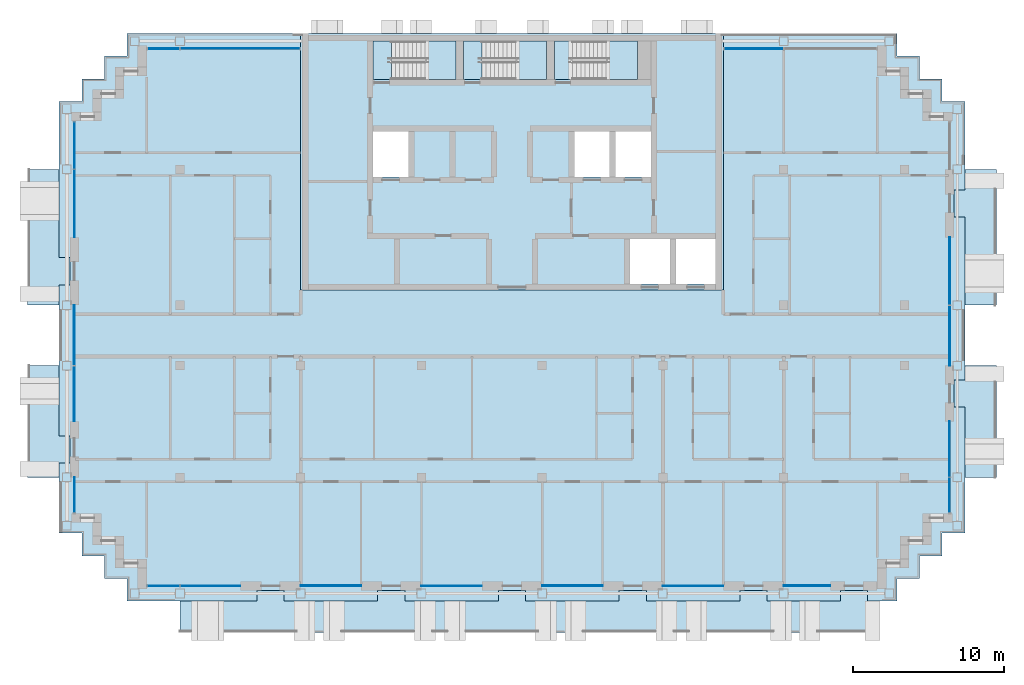
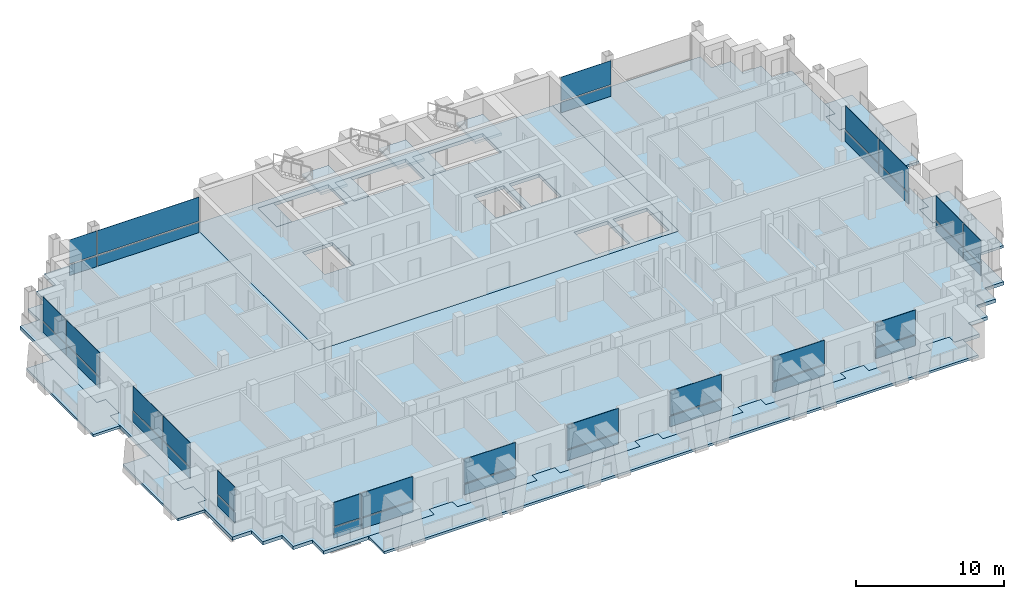
# One storey, part 6 of 15: 38 plates, 13 slabs, 16 elements without a shape of their own.
"""IFC4 building model written with IfcOpenShell, lengths in metres."""

from ifc_helpers import new_model, si_unit, direction, frame, origin, origin_2d, place, context, subcontext, project, spatial, polyline, rectangle, outline, extrude, material, layer, layer_set, type_object, element, aggregate, save


model = new_model("IFC4")

# Units and contexts
model_context = context("Model", 3, precision=1e-05, world=origin(), true_north=direction((0.0, 1.0)))
body_context = subcontext(model_context, "Body", "Model", "MODEL_VIEW")
ifc_project = project(units=[si_unit("LENGTHUNIT", "METRE"), si_unit("AREAUNIT", "SQUARE_METRE"), si_unit("VOLUMEUNIT", "CUBIC_METRE"), si_unit("PLANEANGLEUNIT", "RADIAN"), si_unit("MASSUNIT", "GRAM", prefix="KILO")], contexts=[model_context])

# Site, building, storey
site_placement = place(None, origin())
site = spatial("IfcSite", under=ifc_project, at=site_placement, CompositionType="ELEMENT")
building_placement = place(site_placement, origin())
building = spatial("IfcBuilding", under=site, at=building_placement, Name="Vidyagriha Tower", CompositionType="ELEMENT")
storey_placement = place(building_placement, frame((0.0, 0.0, 214.0)))
storey = spatial("IfcBuildingStorey", under=building, at=storey_placement, Name="L55", CompositionType="ELEMENT", Elevation=214.0)

# Curtain wall, plate
ifc_material_1 = material(Name="Aluminium and glass curtain wall", Category="aluminium")
curtain_wall_type = type_object("IfcCurtainWallType", Name="Dwelling skin unitised curtain wall", PredefinedType="USERDEFINED", material=ifc_material_1)
curtain_wall_1_placement = place(storey_placement, origin())
curtain_wall_1 = element("IfcCurtainWall", 1, at=curtain_wall_1_placement, inside=storey, type_object=curtain_wall_type, Name="CW1 dwelling skin", ObjectType="UNITISED", PredefinedType="USERDEFINED")
ifc_material_2 = material(Name="Glass dark ceramic-fritted spandrel", Category="glass")
ifc_layer_1 = layer(ifc_material_2, 0.0400390625)
ifc_layer_set_1 = layer_set([ifc_layer_1], Name="Glass dark ceramic-fritted spandrel")
plate_type_1 = type_object("IfcPlateType", Name="Ceramic-fritted spandrel panel", PredefinedType="CURTAIN_PANEL", material=ifc_layer_set_1)
plate_1_placement = place(storey_placement, frame((-18.017578125, 19.0, 0.0), z_axis=(0.0, 0.0, 1.0), x_axis=(-1.0, 0.0, 0.0)))
plate_1 = element("IfcPlate", 2, at=plate_1_placement, type_object=plate_type_1, Name="CW1 panel 1.1", PredefinedType="CURTAIN_PANEL", context=body_context, shape_type="SweptSolid", body=[
    extrude(rectangle(XDim=7.89501953125, YDim=0.0400390625, at=origin_2d()), origin(), (0.0, 0.0, 1.0), 0.85009765625),
])

# Curtain wall, plates
curtain_wall_2_placement = place(storey_placement, origin())
curtain_wall_2 = element("IfcCurtainWall", 3, at=curtain_wall_2_placement, inside=storey, type_object=curtain_wall_type, Name="CW1 dwelling skin", ObjectType="UNITISED", PredefinedType="USERDEFINED")
plate_2_placement = place(storey_placement, frame((-29.0, 12.58251953125, 0.0), z_axis=(0.0, 0.0, 1.0), x_axis=(0.0, -1.0, 0.0)))
plate_2 = element("IfcPlate", 4, at=plate_2_placement, type_object=plate_type_1, Name="CW1 panel 1.1", PredefinedType="CURTAIN_PANEL", context=body_context, shape_type="SweptSolid", body=[
    extrude(rectangle(XDim=3.094970703125, YDim=0.0400390625, at=origin_2d()), origin(), (0.0, 0.0, 1.0), 0.85009765625),
])
plate_3_placement = place(storey_placement, frame((-29.0, 8.732421875, 0.0), z_axis=(0.0, 0.0, 1.0), x_axis=(0.0, -1.0, 0.0)))
plate_3 = element("IfcPlate", 5, at=plate_3_placement, type_object=plate_type_1, Name="CW1 panel 2.1", PredefinedType="CURTAIN_PANEL", context=body_context, shape_type="SweptSolid", body=[
    extrude(rectangle(XDim=4.465087890625, YDim=0.0400390625, at=origin_2d()), origin(), (0.0, 0.0, 1.0), 0.85009765625),
])

# Curtain wall, plate
curtain_wall_3_placement = place(storey_placement, origin())
curtain_wall_3 = element("IfcCurtainWall", 6, at=curtain_wall_3_placement, inside=storey, type_object=curtain_wall_type, Name="CW1 dwelling skin", ObjectType="UNITISED", PredefinedType="USERDEFINED")
plate_4_placement = place(storey_placement, frame((-29.0, -10.56494140625, 0.0), z_axis=(0.0, 0.0, 1.0), x_axis=(0.0, -1.0, 0.0)))
plate_4 = element("IfcPlate", 7, at=plate_4_placement, type_object=plate_type_1, Name="CW1 panel 1.1", PredefinedType="CURTAIN_PANEL", context=body_context, shape_type="SweptSolid", body=[
    extrude(rectangle(XDim=2.330078125, YDim=0.0400390625, at=origin_2d()), origin(), (0.0, 0.0, 1.0), 0.85009765625),
])

# Curtain wall, plates
curtain_wall_4_placement = place(storey_placement, origin())
curtain_wall_4 = element("IfcCurtainWall", 8, at=curtain_wall_4_placement, inside=storey, type_object=curtain_wall_type, Name="CW1 dwelling skin", ObjectType="UNITISED", PredefinedType="USERDEFINED")
plate_5_placement = place(storey_placement, frame((-23.08251953125, -16.60009765625, 0.0)))
plate_5 = element("IfcPlate", 9, at=plate_5_placement, type_object=plate_type_1, Name="CW1 panel 1.1", PredefinedType="CURTAIN_PANEL", context=body_context, shape_type="SweptSolid", body=[
    extrude(rectangle(XDim=2.094970703125, YDim=0.0400390625, at=origin_2d()), origin(), (0.0, 0.0, 1.0), 0.85009765625),
])
plate_6_placement = place(storey_placement, frame((-19.982421875, -16.60009765625, 0.0)))
plate_6 = element("IfcPlate", 10, at=plate_6_placement, type_object=plate_type_1, Name="CW1 panel 2.1", PredefinedType="CURTAIN_PANEL", context=body_context, shape_type="SweptSolid", body=[
    extrude(rectangle(XDim=3.965087890625, YDim=0.0400390625, at=origin_2d()), origin(), (0.0, 0.0, 1.0), 0.85009765625),
])

# Curtain wall, plate
curtain_wall_5_placement = place(storey_placement, origin())
curtain_wall_5 = element("IfcCurtainWall", 11, at=curtain_wall_5_placement, inside=storey, type_object=curtain_wall_type, Name="CW1 dwelling skin", ObjectType="UNITISED", PredefinedType="USERDEFINED")
plate_7_placement = place(storey_placement, frame((-4.0, -16.60009765625, 0.0)))
plate_7 = element("IfcPlate", 12, at=plate_7_placement, type_object=plate_type_1, Name="CW1 panel 1.1", PredefinedType="CURTAIN_PANEL", context=body_context, shape_type="SweptSolid", body=[
    extrude(rectangle(XDim=4.0, YDim=0.0400390625, at=origin_2d()), origin(), (0.0, 0.0, 1.0), 0.85009765625),
])

curtain_wall_6_placement = place(storey_placement, origin())
curtain_wall_6 = element("IfcCurtainWall", 13, at=curtain_wall_6_placement, inside=storey, type_object=curtain_wall_type, Name="CW1 dwelling skin", ObjectType="UNITISED", PredefinedType="USERDEFINED")
plate_8_placement = place(storey_placement, frame((12.0, -16.60009765625, 0.0)))
plate_8 = element("IfcPlate", 14, at=plate_8_placement, type_object=plate_type_1, Name="CW1 panel 1.1", PredefinedType="CURTAIN_PANEL", context=body_context, shape_type="SweptSolid", body=[
    extrude(rectangle(XDim=4.0, YDim=0.0400390625, at=origin_2d()), origin(), (0.0, 0.0, 1.0), 0.85009765625),
])

# Curtain wall, plates
curtain_wall_7_placement = place(storey_placement, origin())
curtain_wall_7 = element("IfcCurtainWall", 15, at=curtain_wall_7_placement, inside=storey, type_object=curtain_wall_type, Name="CW1 dwelling skin", ObjectType="UNITISED", PredefinedType="USERDEFINED")
plate_9_placement = place(storey_placement, frame((29.0, -10.58251953125, 0.0), z_axis=(0.0, 0.0, 1.0), x_axis=(0.0, 1.0, 0.0)))
plate_9 = element("IfcPlate", 16, at=plate_9_placement, type_object=plate_type_1, Name="CW1 panel 1.1", PredefinedType="CURTAIN_PANEL", context=body_context, shape_type="SweptSolid", body=[
    extrude(rectangle(XDim=2.294921875, YDim=0.0400390625, at=origin_2d()), origin(), (0.0, 0.0, 1.0), 0.85009765625),
])
plate_10_placement = place(storey_placement, frame((29.0, -7.532470703125, 0.0), z_axis=(0.0, 0.0, 1.0), x_axis=(0.0, 1.0, 0.0)))
plate_10 = element("IfcPlate", 17, at=plate_10_placement, type_object=plate_type_1, Name="CW1 panel 2.1", PredefinedType="CURTAIN_PANEL", context=body_context, shape_type="SweptSolid", body=[
    extrude(rectangle(XDim=3.6650390625, YDim=0.0400390625, at=origin_2d()), origin(), (0.0, 0.0, 1.0), 0.85009765625),
])

# Slab
ifc_material_3 = material(Name="Concrete C60/75", Category="concrete")
ifc_layer_2 = layer(ifc_material_3, 0.280029296875)
ifc_layer_set_2 = layer_set([ifc_layer_2], Name="Concrete C60/75")
slab_type_1 = type_object("IfcSlabType", Name="Core floor slab 280 mm", PredefinedType="FLOOR", material=ifc_layer_set_2)
slab_1_placement = place(storey_placement, frame((0.0, 0.0, -0.280029296875)))
element("IfcSlab", 18, at=slab_1_placement, inside=storey, type_object=slab_type_1, Name="L55 core floor 1", PredefinedType="FLOOR", context=body_context, shape_type="SweptSolid", body=[
    extrude(outline(polyline([(-14.0, 3.0), (-14.0, 20.0), (14.0, 20.0), (14.0, 3.0), (-14.0, 3.0)]), holes=[polyline([(13.5, 6.39990234375), (10.855712890625, 6.39990234375), (10.855712890625, 3.39990234375), (13.5, 3.39990234375), (13.5, 6.39990234375)]), polyline([(10.45556640625, 6.39990234375), (7.81103515625, 6.39990234375), (7.81103515625, 3.39990234375), (10.45556640625, 3.39990234375), (10.45556640625, 6.39990234375)]), polyline([(9.199951171875, 13.5), (6.86669921875, 13.5), (6.86669921875, 10.5), (9.199951171875, 10.5), (9.199951171875, 13.5)]), polyline([(2.800048828125, 19.5), (2.800048828125, 16.949951171875), (4.0, 16.949951171875), (8.300048828125, 16.949951171875), (8.300048828125, 19.5), (4.0, 19.5), (2.800048828125, 19.5)]), polyline([(4.13330078125, 13.5), (4.13330078125, 10.5), (6.466796875, 10.5), (6.466796875, 13.5), (4.13330078125, 13.5)]), polyline([(-2.0, 19.5), (-3.199951171875, 19.5), (-3.199951171875, 16.949951171875), (-2.0, 16.949951171875), (2.300048828125, 16.949951171875), (2.300048828125, 19.5), (-2.0, 19.5)]), polyline([(-9.199951171875, 19.5), (-9.199951171875, 16.949951171875), (-8.0, 16.949951171875), (-3.699951171875, 16.949951171875), (-3.699951171875, 19.5), (-8.0, 19.5), (-9.199951171875, 19.5)]), polyline([(-9.199951171875, 13.5), (-9.199951171875, 10.5), (-6.86669921875, 10.5), (-6.86669921875, 13.5), (-9.199951171875, 13.5)])]), origin(), (0.0, 0.0, 1.0), 0.280029296875),
])

# Curtain wall, plate
curtain_wall_8_placement = place(storey_placement, origin())
curtain_wall_8 = element("IfcCurtainWall", 19, at=curtain_wall_8_placement, inside=storey, type_object=curtain_wall_type, Name="CW1 dwelling skin", ObjectType="UNITISED", PredefinedType="USERDEFINED")
ifc_material_4 = material(Name="Glass dark ceramic-fritted", Category="glass")
ifc_layer_3 = layer(ifc_material_4, 0.028076171875)
ifc_layer_set_3 = layer_set([ifc_layer_3], Name="Glass dark ceramic-fritted")
plate_type_2 = type_object("IfcPlateType", Name="Dark ceramic-fritted vision glass panel", PredefinedType="CURTAIN_PANEL", material=ifc_layer_set_3)
plate_11_placement = place(storey_placement, frame((16.017578125, 19.0, 0.9501953125), z_axis=(0.0, 0.0, 1.0), x_axis=(-1.0, 0.0, 0.0)))
plate_11 = element("IfcPlate", 20, at=plate_11_placement, type_object=plate_type_2, Name="CW1 panel 2.2", PredefinedType="CURTAIN_PANEL", context=body_context, shape_type="SweptSolid", body=[
    extrude(rectangle(XDim=3.89501953125, YDim=0.028076171875, at=origin_2d()), origin(), (0.0, 0.0, 1.0), 1.969970703125),
])

# Plate
plate_12_placement = place(storey_placement, frame((-18.017578125, 19.0, 0.9501953125), z_axis=(0.0, 0.0, 1.0), x_axis=(-1.0, 0.0, 0.0)))
plate_12 = element("IfcPlate", 21, at=plate_12_placement, type_object=plate_type_2, Name="CW1 panel 1.2", PredefinedType="CURTAIN_PANEL", context=body_context, shape_type="SweptSolid", body=[
    extrude(rectangle(XDim=7.89501953125, YDim=0.028076171875, at=origin_2d()), origin(), (0.0, 0.0, 1.0), 1.969970703125),
])

plate_13_placement = place(storey_placement, frame((-23.08251953125, 19.0, 0.9501953125), z_axis=(0.0, 0.0, 1.0), x_axis=(-1.0, 0.0, 0.0)))
plate_13 = element("IfcPlate", 22, at=plate_13_placement, type_object=plate_type_2, Name="CW1 panel 2.2", PredefinedType="CURTAIN_PANEL", context=body_context, shape_type="SweptSolid", body=[
    extrude(rectangle(XDim=2.094970703125, YDim=0.028076171875, at=origin_2d()), origin(), (0.0, 0.0, 1.0), 1.969970703125),
])

plate_14_placement = place(storey_placement, frame((-29.0, 12.58251953125, 0.9501953125), z_axis=(0.0, 0.0, 1.0), x_axis=(0.0, -1.0, 0.0)))
plate_14 = element("IfcPlate", 23, at=plate_14_placement, type_object=plate_type_2, Name="CW1 panel 1.2", PredefinedType="CURTAIN_PANEL", context=body_context, shape_type="SweptSolid", body=[
    extrude(rectangle(XDim=3.094970703125, YDim=0.028076171875, at=origin_2d()), origin(), (0.0, 0.0, 1.0), 1.969970703125),
])

plate_15_placement = place(storey_placement, frame((-29.0, 8.732421875, 0.9501953125), z_axis=(0.0, 0.0, 1.0), x_axis=(0.0, -1.0, 0.0)))
plate_15 = element("IfcPlate", 24, at=plate_15_placement, type_object=plate_type_2, Name="CW1 panel 2.2", PredefinedType="CURTAIN_PANEL", context=body_context, shape_type="SweptSolid", body=[
    extrude(rectangle(XDim=4.465087890625, YDim=0.028076171875, at=origin_2d()), origin(), (0.0, 0.0, 1.0), 1.969970703125),
])

aggregate(curtain_wall_2, [plate_2, plate_14, plate_3, plate_15])

# Curtain wall, plates
curtain_wall_9_placement = place(storey_placement, origin())
curtain_wall_9 = element("IfcCurtainWall", 25, at=curtain_wall_9_placement, inside=storey, type_object=curtain_wall_type, Name="CW1 dwelling skin", ObjectType="UNITISED", PredefinedType="USERDEFINED")
plate_16_placement = place(storey_placement, frame((-29.0, 0.017578125, 0.9501953125), z_axis=(0.0, 0.0, 1.0), x_axis=(0.0, -1.0, 0.0)))
plate_16 = element("IfcPlate", 26, at=plate_16_placement, type_object=plate_type_2, Name="CW1 panel 1.2", PredefinedType="CURTAIN_PANEL", context=body_context, shape_type="SweptSolid", body=[
    extrude(rectangle(XDim=3.965087890625, YDim=0.028076171875, at=origin_2d()), origin(), (0.0, 0.0, 1.0), 1.969970703125),
])
plate_17_placement = place(storey_placement, frame((-29.0, -3.867431640625, 0.9501953125), z_axis=(0.0, 0.0, 1.0), x_axis=(0.0, -1.0, 0.0)))
plate_17 = element("IfcPlate", 27, at=plate_17_placement, type_object=plate_type_2, Name="CW1 panel 2.2", PredefinedType="CURTAIN_PANEL", context=body_context, shape_type="SweptSolid", body=[
    extrude(rectangle(XDim=3.6650390625, YDim=0.028076171875, at=origin_2d()), origin(), (0.0, 0.0, 1.0), 1.969970703125),
])

# Plate
plate_18_placement = place(storey_placement, frame((-29.0, -10.56494140625, 0.9501953125), z_axis=(0.0, 0.0, 1.0), x_axis=(0.0, -1.0, 0.0)))
plate_18 = element("IfcPlate", 28, at=plate_18_placement, type_object=plate_type_2, Name="CW1 panel 1.2", PredefinedType="CURTAIN_PANEL", context=body_context, shape_type="SweptSolid", body=[
    extrude(rectangle(XDim=2.330078125, YDim=0.028076171875, at=origin_2d()), origin(), (0.0, 0.0, 1.0), 1.969970703125),
])

aggregate(curtain_wall_3, [plate_4, plate_18])

plate_19_placement = place(storey_placement, frame((-23.08251953125, -16.60009765625, 0.9501953125)))
plate_19 = element("IfcPlate", 29, at=plate_19_placement, type_object=plate_type_2, Name="CW1 panel 1.2", PredefinedType="CURTAIN_PANEL", context=body_context, shape_type="SweptSolid", body=[
    extrude(rectangle(XDim=2.094970703125, YDim=0.028076171875, at=origin_2d()), origin(), (0.0, 0.0, 1.0), 1.969970703125),
])

plate_20_placement = place(storey_placement, frame((-19.982421875, -16.60009765625, 0.9501953125)))
plate_20 = element("IfcPlate", 30, at=plate_20_placement, type_object=plate_type_2, Name="CW1 panel 2.2", PredefinedType="CURTAIN_PANEL", context=body_context, shape_type="SweptSolid", body=[
    extrude(rectangle(XDim=3.965087890625, YDim=0.028076171875, at=origin_2d()), origin(), (0.0, 0.0, 1.0), 1.969970703125),
])

aggregate(curtain_wall_4, [plate_5, plate_19, plate_6, plate_20])

# Curtain wall, plate
curtain_wall_10_placement = place(storey_placement, origin())
curtain_wall_10 = element("IfcCurtainWall", 31, at=curtain_wall_10_placement, inside=storey, type_object=curtain_wall_type, Name="CW1 dwelling skin", ObjectType="UNITISED", PredefinedType="USERDEFINED")
plate_21_placement = place(storey_placement, frame((-12.0, -16.60009765625, 0.9501953125)))
plate_21 = element("IfcPlate", 32, at=plate_21_placement, type_object=plate_type_2, Name="CW1 panel 1.2", PredefinedType="CURTAIN_PANEL", context=body_context, shape_type="SweptSolid", body=[
    extrude(rectangle(XDim=4.0, YDim=0.028076171875, at=origin_2d()), origin(), (0.0, 0.0, 1.0), 1.969970703125),
])

# Plate
plate_22_placement = place(storey_placement, frame((-4.0, -16.60009765625, 0.9501953125)))
plate_22 = element("IfcPlate", 33, at=plate_22_placement, type_object=plate_type_2, Name="CW1 panel 1.2", PredefinedType="CURTAIN_PANEL", context=body_context, shape_type="SweptSolid", body=[
    extrude(rectangle(XDim=4.0, YDim=0.028076171875, at=origin_2d()), origin(), (0.0, 0.0, 1.0), 1.969970703125),
])

aggregate(curtain_wall_5, [plate_7, plate_22])

# Curtain wall, plate
curtain_wall_11_placement = place(storey_placement, origin())
curtain_wall_11 = element("IfcCurtainWall", 34, at=curtain_wall_11_placement, inside=storey, type_object=curtain_wall_type, Name="CW1 dwelling skin", ObjectType="UNITISED", PredefinedType="USERDEFINED")
plate_23_placement = place(storey_placement, frame((4.0, -16.60009765625, 0.9501953125)))
plate_23 = element("IfcPlate", 35, at=plate_23_placement, type_object=plate_type_2, Name="CW1 panel 1.2", PredefinedType="CURTAIN_PANEL", context=body_context, shape_type="SweptSolid", body=[
    extrude(rectangle(XDim=4.0, YDim=0.028076171875, at=origin_2d()), origin(), (0.0, 0.0, 1.0), 1.969970703125),
])

# Plate
plate_24_placement = place(storey_placement, frame((12.0, -16.60009765625, 0.9501953125)))
plate_24 = element("IfcPlate", 36, at=plate_24_placement, type_object=plate_type_2, Name="CW1 panel 1.2", PredefinedType="CURTAIN_PANEL", context=body_context, shape_type="SweptSolid", body=[
    extrude(rectangle(XDim=4.0, YDim=0.028076171875, at=origin_2d()), origin(), (0.0, 0.0, 1.0), 1.969970703125),
])

aggregate(curtain_wall_6, [plate_8, plate_24])

# Curtain wall, plate
curtain_wall_12_placement = place(storey_placement, origin())
curtain_wall_12 = element("IfcCurtainWall", 37, at=curtain_wall_12_placement, inside=storey, type_object=curtain_wall_type, Name="CW1 dwelling skin", ObjectType="UNITISED", PredefinedType="USERDEFINED")
plate_25_placement = place(storey_placement, frame((19.550048828125, -16.60009765625, 0.9501953125)))
plate_25 = element("IfcPlate", 38, at=plate_25_placement, type_object=plate_type_2, Name="CW1 panel 1.2", PredefinedType="CURTAIN_PANEL", context=body_context, shape_type="SweptSolid", body=[
    extrude(rectangle(XDim=3.10009765625, YDim=0.028076171875, at=origin_2d()), origin(), (0.0, 0.0, 1.0), 1.969970703125),
])

# Plate
plate_26_placement = place(storey_placement, frame((29.0, -10.58251953125, 0.9501953125), z_axis=(0.0, 0.0, 1.0), x_axis=(0.0, 1.0, 0.0)))
plate_26 = element("IfcPlate", 39, at=plate_26_placement, type_object=plate_type_2, Name="CW1 panel 1.2", PredefinedType="CURTAIN_PANEL", context=body_context, shape_type="SweptSolid", body=[
    extrude(rectangle(XDim=2.294921875, YDim=0.028076171875, at=origin_2d()), origin(), (0.0, 0.0, 1.0), 1.969970703125),
])

plate_27_placement = place(storey_placement, frame((29.0, -7.532470703125, 0.9501953125), z_axis=(0.0, 0.0, 1.0), x_axis=(0.0, 1.0, 0.0)))
plate_27 = element("IfcPlate", 40, at=plate_27_placement, type_object=plate_type_2, Name="CW1 panel 2.2", PredefinedType="CURTAIN_PANEL", context=body_context, shape_type="SweptSolid", body=[
    extrude(rectangle(XDim=3.6650390625, YDim=0.028076171875, at=origin_2d()), origin(), (0.0, 0.0, 1.0), 1.969970703125),
])

aggregate(curtain_wall_7, [plate_9, plate_26, plate_10, plate_27])

# Curtain wall, plates
curtain_wall_13_placement = place(storey_placement, origin())
curtain_wall_13 = element("IfcCurtainWall", 41, at=curtain_wall_13_placement, inside=storey, type_object=curtain_wall_type, Name="CW1 dwelling skin", ObjectType="UNITISED", PredefinedType="USERDEFINED")
plate_28_placement = place(storey_placement, frame((29.0, -0.017578125, 0.9501953125), z_axis=(0.0, 0.0, 1.0), x_axis=(0.0, 1.0, 0.0)))
plate_28 = element("IfcPlate", 42, at=plate_28_placement, type_object=plate_type_2, Name="CW1 panel 1.2", PredefinedType="CURTAIN_PANEL", context=body_context, shape_type="SweptSolid", body=[
    extrude(rectangle(XDim=3.965087890625, YDim=0.028076171875, at=origin_2d()), origin(), (0.0, 0.0, 1.0), 1.969970703125),
])
plate_29_placement = place(storey_placement, frame((29.0, 4.267578125, 0.9501953125), z_axis=(0.0, 0.0, 1.0), x_axis=(0.0, 1.0, 0.0)))
plate_29 = element("IfcPlate", 43, at=plate_29_placement, type_object=plate_type_2, Name="CW1 panel 2.2", PredefinedType="CURTAIN_PANEL", context=body_context, shape_type="SweptSolid", body=[
    extrude(rectangle(XDim=4.465087890625, YDim=0.028076171875, at=origin_2d()), origin(), (0.0, 0.0, 1.0), 1.969970703125),
])

# Slabs
ifc_material_5 = material(Name="Concrete C40/50", Category="concrete")
ifc_layer_4 = layer(ifc_material_5, 0.280029296875)
ifc_layer_set_4 = layer_set([ifc_layer_4], Name="Concrete C40/50")
slab_type_2 = type_object("IfcSlabType", Name="Exit stair floor landing 280 mm", PredefinedType="LANDING", material=ifc_layer_set_4)
slab_2_placement = place(storey_placement, frame((0.0, 0.0, -0.280029296875)))
element("IfcSlab", 44, at=slab_2_placement, inside=storey, type_object=slab_type_2, Name="ST1 floor landing L55", PredefinedType="LANDING", context=body_context, shape_type="SweptSolid", body=[
    extrude(outline(polyline([(-9.199951171875, 16.949951171875), (-8.0, 16.949951171875), (-8.0, 19.5), (-9.199951171875, 19.5), (-9.199951171875, 16.949951171875)])), origin(), (0.0, 0.0, 1.0), 0.280029296875),
])
slab_3_placement = place(storey_placement, frame((0.0, 0.0, -0.280029296875)))
element("IfcSlab", 45, at=slab_3_placement, inside=storey, type_object=slab_type_2, Name="ST2 floor landing L55", PredefinedType="LANDING", context=body_context, shape_type="SweptSolid", body=[
    extrude(outline(polyline([(-3.199951171875, 16.949951171875), (-2.0, 16.949951171875), (-2.0, 19.5), (-3.199951171875, 19.5), (-3.199951171875, 16.949951171875)])), origin(), (0.0, 0.0, 1.0), 0.280029296875),
])
slab_4_placement = place(storey_placement, frame((0.0, 0.0, -0.280029296875)))
element("IfcSlab", 46, at=slab_4_placement, inside=storey, type_object=slab_type_2, Name="ST3 floor landing L55", PredefinedType="LANDING", context=body_context, shape_type="SweptSolid", body=[
    extrude(outline(polyline([(2.800048828125, 16.949951171875), (4.0, 16.949951171875), (4.0, 19.5), (2.800048828125, 19.5), (2.800048828125, 16.949951171875)])), origin(), (0.0, 0.0, 1.0), 0.280029296875),
])

# Stair, slab
ifc_material_6 = material(Name="Concrete C40/50", Category="concrete")
stair_type = type_object("IfcStairType", Name="Exit stair, half-turn, precast flights", PredefinedType="HALF_TURN_STAIR", material=ifc_material_6)
stair_1_placement = place(storey_placement, origin())
stair_1 = element("IfcStair", 47, at=stair_1_placement, inside=storey, type_object=stair_type, Name="L55 Exit Stair ST1", PredefinedType="HALF_TURN_STAIR")
ifc_material_7 = material(Name="Concrete C40/50", Category="concrete")
ifc_layer_5 = layer(ifc_material_7, 0.199951171875)
ifc_layer_set_5 = layer_set([ifc_layer_5], Name="Concrete C40/50")
slab_type_3 = type_object("IfcSlabType", Name="Exit stair landing 200 mm", PredefinedType="LANDING", material=ifc_layer_set_5)
slab_5_placement = place(storey_placement, frame((0.0, 0.0, 1.39990234375)))
slab_5 = element("IfcSlab", 48, at=slab_5_placement, type_object=slab_type_3, Name="ST1 landing 1", PredefinedType="LANDING", context=body_context, shape_type="SweptSolid", body=[
    extrude(outline(polyline([(-5.760009765625, 16.949951171875), (-3.699951171875, 16.949951171875), (-3.699951171875, 19.5), (-5.760009765625, 19.5), (-5.760009765625, 16.949951171875)])), origin(), (0.0, 0.0, 1.0), 0.2001953125),
])
aggregate(stair_1, [slab_5])

stair_2_placement = place(storey_placement, origin())
stair_2 = element("IfcStair", 49, at=stair_2_placement, inside=storey, type_object=stair_type, Name="L55 Exit Stair ST2", PredefinedType="HALF_TURN_STAIR")
slab_6_placement = place(storey_placement, frame((0.0, 0.0, 1.39990234375)))
slab_6 = element("IfcSlab", 50, at=slab_6_placement, type_object=slab_type_3, Name="ST2 landing 1", PredefinedType="LANDING", context=body_context, shape_type="SweptSolid", body=[
    extrude(outline(polyline([(0.239990234375, 16.949951171875), (2.300048828125, 16.949951171875), (2.300048828125, 19.5), (0.239990234375, 19.5), (0.239990234375, 16.949951171875)])), origin(), (0.0, 0.0, 1.0), 0.2001953125),
])
aggregate(stair_2, [slab_6])

stair_3_placement = place(storey_placement, origin())
stair_3 = element("IfcStair", 51, at=stair_3_placement, inside=storey, type_object=stair_type, Name="L55 Exit Stair ST3", PredefinedType="HALF_TURN_STAIR")
slab_7_placement = place(storey_placement, frame((0.0, 0.0, 1.39990234375)))
slab_7 = element("IfcSlab", 52, at=slab_7_placement, type_object=slab_type_3, Name="ST3 landing 1", PredefinedType="LANDING", context=body_context, shape_type="SweptSolid", body=[
    extrude(outline(polyline([(6.239990234375, 16.949951171875), (8.300048828125, 16.949951171875), (8.300048828125, 19.5), (6.239990234375, 19.5), (6.239990234375, 16.949951171875)])), origin(), (0.0, 0.0, 1.0), 0.2001953125),
])
aggregate(stair_3, [slab_7])

# Plate
ifc_material_8 = material(Name="Aluminium black anodised", Category="aluminium")
ifc_layer_6 = layer(ifc_material_8, 0.06005859375)
ifc_layer_set_6 = layer_set([ifc_layer_6], Name="Aluminium black anodised")
plate_type_3 = type_object("IfcPlateType", Name="Operable black-metal vent panel", PredefinedType="CURTAIN_PANEL", material=ifc_layer_set_6)
plate_30_placement = place(storey_placement, frame((16.017578125, 19.0, 0.0), z_axis=(0.0, 0.0, 1.0), x_axis=(-1.0, 0.0, 0.0)))
plate_30 = element("IfcPlate", 53, at=plate_30_placement, type_object=plate_type_3, Name="CW1 panel 2.1", PredefinedType="CURTAIN_PANEL", context=body_context, shape_type="SweptSolid", body=[
    extrude(rectangle(XDim=3.89501953125, YDim=0.06005859375, at=origin_2d()), origin(), (0.0, 0.0, 1.0), 0.85009765625),
])

aggregate(curtain_wall_8, [plate_30, plate_11])

plate_31_placement = place(storey_placement, frame((-23.08251953125, 19.0, 0.0), z_axis=(0.0, 0.0, 1.0), x_axis=(-1.0, 0.0, 0.0)))
plate_31 = element("IfcPlate", 54, at=plate_31_placement, type_object=plate_type_3, Name="CW1 panel 2.1", PredefinedType="CURTAIN_PANEL", context=body_context, shape_type="SweptSolid", body=[
    extrude(rectangle(XDim=2.094970703125, YDim=0.06005859375, at=origin_2d()), origin(), (0.0, 0.0, 1.0), 0.85009765625),
])

aggregate(curtain_wall_1, [plate_1, plate_12, plate_31, plate_13])

plate_32_placement = place(storey_placement, frame((-29.0, 0.017578125, 0.0), z_axis=(0.0, 0.0, 1.0), x_axis=(0.0, -1.0, 0.0)))
plate_32 = element("IfcPlate", 55, at=plate_32_placement, type_object=plate_type_3, Name="CW1 panel 1.1", PredefinedType="CURTAIN_PANEL", context=body_context, shape_type="SweptSolid", body=[
    extrude(rectangle(XDim=3.965087890625, YDim=0.06005859375, at=origin_2d()), origin(), (0.0, 0.0, 1.0), 0.85009765625),
])

plate_33_placement = place(storey_placement, frame((-29.0, -3.867431640625, 0.0), z_axis=(0.0, 0.0, 1.0), x_axis=(0.0, -1.0, 0.0)))
plate_33 = element("IfcPlate", 56, at=plate_33_placement, type_object=plate_type_3, Name="CW1 panel 2.1", PredefinedType="CURTAIN_PANEL", context=body_context, shape_type="SweptSolid", body=[
    extrude(rectangle(XDim=3.6650390625, YDim=0.06005859375, at=origin_2d()), origin(), (0.0, 0.0, 1.0), 0.85009765625),
])

aggregate(curtain_wall_9, [plate_32, plate_16, plate_33, plate_17])

plate_34_placement = place(storey_placement, frame((-12.0, -16.60009765625, 0.0)))
plate_34 = element("IfcPlate", 57, at=plate_34_placement, type_object=plate_type_3, Name="CW1 panel 1.1", PredefinedType="CURTAIN_PANEL", context=body_context, shape_type="SweptSolid", body=[
    extrude(rectangle(XDim=4.0, YDim=0.06005859375, at=origin_2d()), origin(), (0.0, 0.0, 1.0), 0.85009765625),
])

aggregate(curtain_wall_10, [plate_34, plate_21])

plate_35_placement = place(storey_placement, frame((4.0, -16.60009765625, 0.0)))
plate_35 = element("IfcPlate", 58, at=plate_35_placement, type_object=plate_type_3, Name="CW1 panel 1.1", PredefinedType="CURTAIN_PANEL", context=body_context, shape_type="SweptSolid", body=[
    extrude(rectangle(XDim=4.0, YDim=0.06005859375, at=origin_2d()), origin(), (0.0, 0.0, 1.0), 0.85009765625),
])

aggregate(curtain_wall_11, [plate_35, plate_23])

plate_36_placement = place(storey_placement, frame((19.550048828125, -16.60009765625, 0.0)))
plate_36 = element("IfcPlate", 59, at=plate_36_placement, type_object=plate_type_3, Name="CW1 panel 1.1", PredefinedType="CURTAIN_PANEL", context=body_context, shape_type="SweptSolid", body=[
    extrude(rectangle(XDim=3.10009765625, YDim=0.06005859375, at=origin_2d()), origin(), (0.0, 0.0, 1.0), 0.85009765625),
])

aggregate(curtain_wall_12, [plate_36, plate_25])

plate_37_placement = place(storey_placement, frame((29.0, -0.017578125, 0.0), z_axis=(0.0, 0.0, 1.0), x_axis=(0.0, 1.0, 0.0)))
plate_37 = element("IfcPlate", 60, at=plate_37_placement, type_object=plate_type_3, Name="CW1 panel 1.1", PredefinedType="CURTAIN_PANEL", context=body_context, shape_type="SweptSolid", body=[
    extrude(rectangle(XDim=3.965087890625, YDim=0.06005859375, at=origin_2d()), origin(), (0.0, 0.0, 1.0), 0.85009765625),
])

plate_38_placement = place(storey_placement, frame((29.0, 4.267578125, 0.0), z_axis=(0.0, 0.0, 1.0), x_axis=(0.0, 1.0, 0.0)))
plate_38 = element("IfcPlate", 61, at=plate_38_placement, type_object=plate_type_3, Name="CW1 panel 2.1", PredefinedType="CURTAIN_PANEL", context=body_context, shape_type="SweptSolid", body=[
    extrude(rectangle(XDim=4.465087890625, YDim=0.06005859375, at=origin_2d()), origin(), (0.0, 0.0, 1.0), 0.85009765625),
])

aggregate(curtain_wall_13, [plate_37, plate_28, plate_38, plate_29])

# Slabs
ifc_material_9 = material(Name="Concrete C50/60", Category="concrete")
ifc_layer_7 = layer(ifc_material_9, 0.280029296875)
ifc_layer_set_7 = layer_set([ifc_layer_7], Name="Concrete C50/60")
slab_type_4 = type_object("IfcSlabType", Name="Post-tensioned flat plate 280", PredefinedType="FLOOR", material=ifc_layer_set_7)
slab_8_placement = place(storey_placement, frame((0.0, 0.0, -0.280029296875)))
element("IfcSlab", 62, at=slab_8_placement, inside=storey, type_object=slab_type_4, Name="st-slab-L55-1", PredefinedType="FLOOR", context=body_context, shape_type="SweptSolid", body=[
    extrude(outline(polyline([(28.5, -14.60009765625), (27.0, -14.60009765625), (27.0, -16.10009765625), (25.5, -16.10009765625), (25.5, -17.60009765625), (23.550048828125, -17.60009765625), (23.550048828125, -16.89990234375), (21.75, -16.89990234375), (21.75, -17.60009765625), (16.89990234375, -17.60009765625), (16.89990234375, -16.89990234375), (15.10009765625, -16.89990234375), (15.10009765625, -17.60009765625), (8.89990234375, -17.60009765625), (8.89990234375, -16.89990234375), (7.10009765625, -16.89990234375), (7.10009765625, -17.60009765625), (0.89990234375, -17.60009765625), (0.89990234375, -16.89990234375), (-0.89990234375, -16.89990234375), (-0.89990234375, -17.60009765625), (-7.10009765625, -17.60009765625), (-7.10009765625, -16.89990234375), (-8.89990234375, -16.89990234375), (-8.89990234375, -17.60009765625), (-15.10009765625, -17.60009765625), (-15.10009765625, -16.89990234375), (-16.89990234375, -16.89990234375), (-16.89990234375, -17.60009765625), (-25.5, -17.60009765625), (-25.5, -16.10009765625), (-27.0, -16.10009765625), (-27.0, -14.60009765625), (-28.5, -14.60009765625), (-28.5, -13.10009765625), (-30.0, -13.10009765625), (-30.0, -8.449951171875), (-29.300048828125, -8.449951171875), (-29.300048828125, -6.64990234375), (-30.0, -6.64990234375), (-30.0, 3.35009765625), (-29.300048828125, 3.35009765625), (-29.300048828125, 5.14990234375), (-30.0, 5.14990234375), (-30.0, 15.5), (-28.5, 15.5), (-28.5, 17.0), (-27.0, 17.0), (-27.0, 18.5), (-25.5, 18.5), (-25.5, 20.0), (-14.0, 20.0), (-14.0, 3.0), (14.0, 3.0), (14.0, 20.0), (25.5, 20.0), (25.5, 18.5), (27.0, 18.5), (27.0, 17.0), (28.5, 17.0), (28.5, 15.5), (30.0, 15.5), (30.0, 9.64990234375), (29.300048828125, 9.64990234375), (29.300048828125, 7.85009765625), (30.0, 7.85009765625), (30.0, -2.949951171875), (29.300048828125, -2.949951171875), (29.300048828125, -4.75), (30.0, -4.75), (30.0, -13.10009765625), (28.5, -13.10009765625), (28.5, -14.60009765625)])), origin(), (0.0, 0.0, 1.0), 0.280029296875),
])
ifc_material_10 = material(Name="Precast concrete C40/50", Category="concrete")
ifc_layer_8 = layer(ifc_material_10, 0.199951171875)
ifc_layer_set_8 = layer_set([ifc_layer_8], Name="Precast concrete C40/50")
slab_type_5 = type_object("IfcSlabType", Name="Precast balcony slab 200", PredefinedType="USERDEFINED", material=ifc_layer_set_8)
slab_9_placement = place(storey_placement, frame((0.0, 0.0, -0.199951171875)))
element("IfcSlab", 63, at=slab_9_placement, inside=storey, type_object=slab_type_5, Name="Balcony slab L55 R16.1-1", ObjectType="BALCONY", PredefinedType="USERDEFINED", context=body_context, shape_type="SweptSolid", body=[
    extrude(outline(polyline([(-29.300048828125, 3.35009765625), (-29.300048828125, 5.14990234375), (-30.0, 5.14990234375), (-30.0, 11.0), (-32.10009765625, 11.0), (-32.10009765625, 2.0), (-30.0, 2.0), (-30.0, 3.35009765625), (-29.300048828125, 3.35009765625)])), origin(), (0.0, 0.0, 1.0), 0.199951171875),
])
slab_10_placement = place(storey_placement, frame((0.0, 0.0, -0.199951171875)))
element("IfcSlab", 64, at=slab_10_placement, inside=storey, type_object=slab_type_5, Name="Balcony slab L55 R16.2-2", ObjectType="BALCONY", PredefinedType="USERDEFINED", context=body_context, shape_type="SweptSolid", body=[
    extrude(outline(polyline([(-29.300048828125, -8.449951171875), (-29.300048828125, -6.64990234375), (-30.0, -6.64990234375), (-30.0, -2.0), (-32.10009765625, -2.0), (-32.10009765625, -9.39990234375), (-30.0, -9.39990234375), (-30.0, -8.449951171875), (-29.300048828125, -8.449951171875)])), origin(), (0.0, 0.0, 1.0), 0.199951171875),
])
slab_11_placement = place(storey_placement, frame((0.0, 0.0, -0.199951171875)))
element("IfcSlab", 65, at=slab_11_placement, inside=storey, type_object=slab_type_5, Name="Balcony slab L55 R23.1-6", ObjectType="BALCONY", PredefinedType="USERDEFINED", context=body_context, shape_type="SweptSolid", body=[
    extrude(outline(polyline([(-16.89990234375, -16.89990234375), (-16.89990234375, -17.60009765625), (-22.0, -17.60009765625), (-22.0, -19.699951171875), (24.199951171875, -19.699951171875), (24.199951171875, -17.60009765625), (23.550048828125, -17.60009765625), (23.550048828125, -16.89990234375), (21.75, -16.89990234375), (21.75, -17.60009765625), (16.89990234375, -17.60009765625), (16.89990234375, -16.89990234375), (15.10009765625, -16.89990234375), (15.10009765625, -17.60009765625), (8.89990234375, -17.60009765625), (8.89990234375, -16.89990234375), (7.10009765625, -16.89990234375), (7.10009765625, -17.60009765625), (0.89990234375, -17.60009765625), (0.89990234375, -16.89990234375), (-0.89990234375, -16.89990234375), (-0.89990234375, -17.60009765625), (-7.10009765625, -17.60009765625), (-7.10009765625, -16.89990234375), (-8.89990234375, -16.89990234375), (-8.89990234375, -17.60009765625), (-15.10009765625, -17.60009765625), (-15.10009765625, -16.89990234375), (-16.89990234375, -16.89990234375)])), origin(), (0.0, 0.0, 1.0), 0.199951171875),
])
slab_12_placement = place(storey_placement, frame((0.0, 0.0, -0.199951171875)))
element("IfcSlab", 66, at=slab_12_placement, inside=storey, type_object=slab_type_5, Name="Balcony slab L55 R30.1-1", ObjectType="BALCONY", PredefinedType="USERDEFINED", context=body_context, shape_type="SweptSolid", body=[
    extrude(outline(polyline([(30.0, -4.75), (30.0, -9.39990234375), (32.10009765625, -9.39990234375), (32.10009765625, -2.0), (30.0, -2.0), (30.0, -2.949951171875), (29.300048828125, -2.949951171875), (29.300048828125, -4.75), (30.0, -4.75)])), origin(), (0.0, 0.0, 1.0), 0.199951171875),
])
slab_13_placement = place(storey_placement, frame((0.0, 0.0, -0.199951171875)))
element("IfcSlab", 67, at=slab_13_placement, inside=storey, type_object=slab_type_5, Name="Balcony slab L55 R30.2-2", ObjectType="BALCONY", PredefinedType="USERDEFINED", context=body_context, shape_type="SweptSolid", body=[
    extrude(outline(polyline([(30.0, 7.85009765625), (30.0, 2.0), (32.10009765625, 2.0), (32.10009765625, 11.0), (30.0, 11.0), (30.0, 9.64990234375), (29.300048828125, 9.64990234375), (29.300048828125, 7.85009765625), (30.0, 7.85009765625)])), origin(), (0.0, 0.0, 1.0), 0.199951171875),
])

save(model, "model.ifc")
